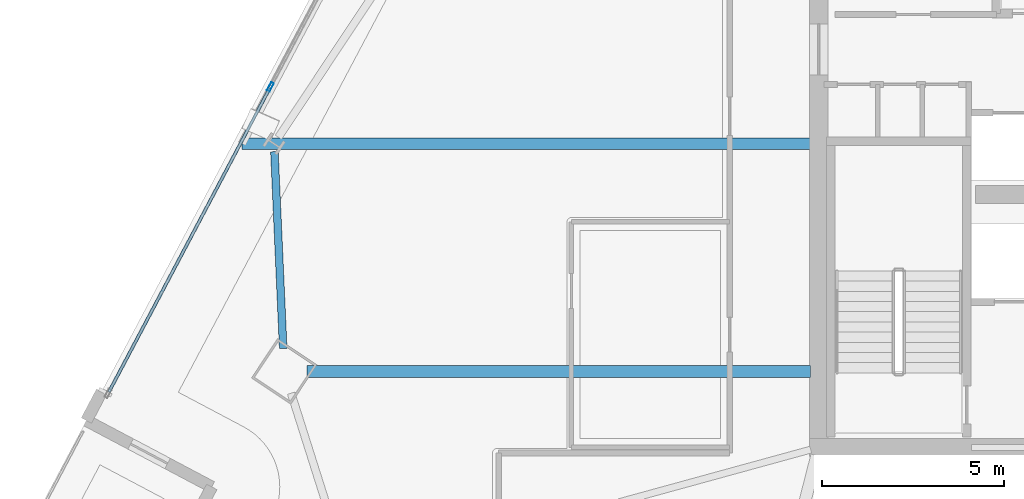
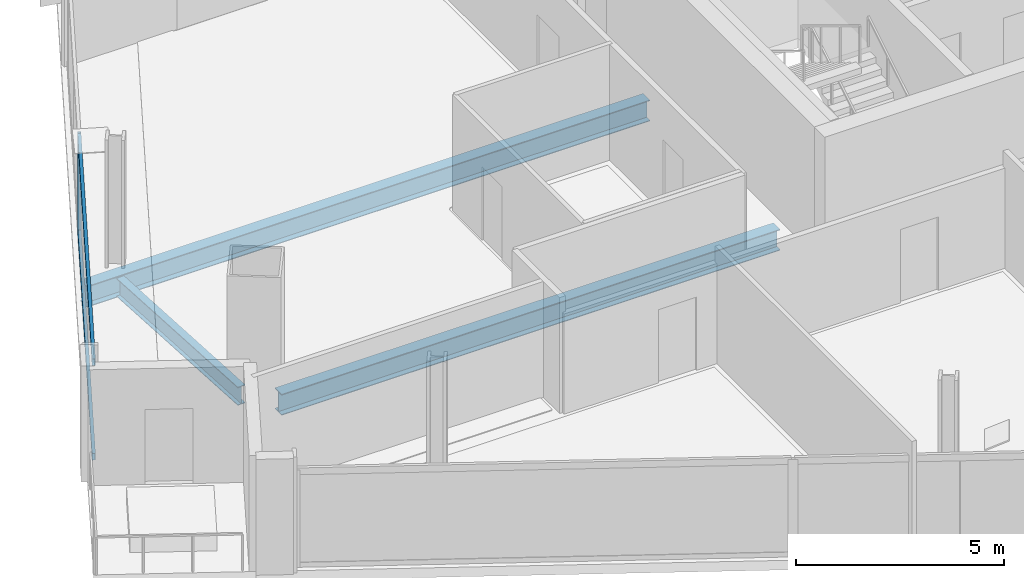
# One storey, part 6 of 28: 3 beams, 3 members, 1 element without a shape of its own.
"""IFC4 building model written with IfcOpenShell, lengths in metres."""

from ifc_helpers import new_model, si_unit, direction, frame, origin, origin_2d, place, context, subcontext, project, spatial, hollow_rectangle, i_section, extrude, material, material_profile, profile_set, type_object, element, aggregate, save


model = new_model("IFC4")

# Units and contexts
model_context = context("Model", 3, precision=1e-05, world=origin(), true_north=direction((0.0, 1.0)))
body_context = subcontext(model_context, "Body", "Model", "MODEL_VIEW")
ifc_project = project(units=[si_unit("LENGTHUNIT", "METRE"), si_unit("AREAUNIT", "SQUARE_METRE"), si_unit("VOLUMEUNIT", "CUBIC_METRE"), si_unit("PLANEANGLEUNIT", "RADIAN"), si_unit("MASSUNIT", "GRAM", prefix="KILO")], contexts=[model_context])

# Site, building, storey
site_placement = place(None, origin())
site = spatial("IfcSite", under=ifc_project, at=site_placement, CompositionType="ELEMENT")
building_placement = place(site_placement, origin())
building = spatial("IfcBuilding", under=site, at=building_placement, Name="Haldenkirk Collegiate Tower", CompositionType="ELEMENT")
storey_placement = place(building_placement, frame((0.0, 0.0, 235.949951171875)))
storey = spatial("IfcBuildingStorey", under=building, at=storey_placement, Name="L59", CompositionType="ELEMENT", Elevation=235.949951171875)

# Beams
ifc_material_1 = material(Name="Steel ASTM A992 Grade 50", Category="steel")
ifc_material_profile_1 = material_profile(ifc_material_1, i_section(OverallWidth=0.324951171875, OverallDepth=0.615966796875, WebThickness=0.013916015625, FlangeThickness=0.021484375, at=origin_2d()), Name="W24X117")
ifc_profile_set_1 = profile_set([ifc_material_profile_1], Name="Steel ASTM A992 Grade 50")
beam_type_1 = type_object("IfcBeamType", Name="BM-GIRDER-W24X117", PredefinedType="BEAM", material=ifc_profile_set_1)
beam_1_placement = place(storey_placement, frame((12.9345703125, 20.089599609375, -0.587890625), z_axis=(1.0, 0.0, 0.0), x_axis=(0.0, 1.0, 0.0)))
element("IfcBeam", 1, at=beam_1_placement, inside=storey, type_object=beam_type_1, Name="L59 primary floor girder 04", PredefinedType="BEAM", context=body_context, shape_type="SweptSolid", body=[
    extrude(i_section(OverallWidth=0.324951171875, OverallDepth=0.615966796875, WebThickness=0.013916015625, FlangeThickness=0.021484375, at=origin_2d()), origin(), (0.0, 0.0, 1.0), 13.83544921875),
])
beam_2_placement = place(storey_placement, frame((11.143310546875, 26.34716796875, -0.587890625), z_axis=(1.0, 0.0, 0.0), x_axis=(0.0, 1.0, 0.0)))
element("IfcBeam", 2, at=beam_2_placement, inside=storey, type_object=beam_type_1, Name="L59 primary floor girder 13", PredefinedType="BEAM", context=body_context, shape_type="SweptSolid", body=[
    extrude(i_section(OverallWidth=0.324951171875, OverallDepth=0.615966796875, WebThickness=0.013916015625, FlangeThickness=0.021484375, at=origin_2d()), origin(), (0.0, 0.0, 1.0), 15.626708984375),
])
ifc_material_profile_2 = material_profile(ifc_material_1, i_section(OverallWidth=0.2099609375, OverallDepth=0.537109375, WebThickness=0.010986328125, FlangeThickness=0.017333984375, at=origin_2d()), Name="W21X68")
ifc_profile_set_2 = profile_set([ifc_material_profile_2], Name="Steel ASTM A992 Grade 50")
beam_type_2 = type_object("IfcBeamType", Name="BM-SPANDREL-W21X68", PredefinedType="SPANDREL", material=ifc_profile_set_2)
beam_3_placement = place(storey_placement, frame((12.034912109375, 26.13037109375, -0.54833984375), z_axis=(0.044620526426, -0.999004008311, 0.0), x_axis=(0.999004008311, 0.044620526426, 0.0)))
element("IfcBeam", 3, at=beam_3_placement, inside=storey, type_object=beam_type_2, Name="L59 perimeter spandrel beam 12", PredefinedType="SPANDREL", context=body_context, shape_type="SweptSolid", body=[
    extrude(i_section(OverallWidth=0.2099609375, OverallDepth=0.537109375, WebThickness=0.010986328125, FlangeThickness=0.017333984375, at=origin_2d()), origin(), (0.0, 0.0, 1.0), 5.416748046875),
])

# Curtain wall, members
ifc_material_2 = material(Name="Anodised architectural bronze aluminium", Category="aluminium")
curtain_wall_type = type_object("IfcCurtainWallType", Name="CW-SYS1B-CONVEX-HI", PredefinedType="USERDEFINED", material=ifc_material_2)
curtain_wall_placement = place(storey_placement, origin())
curtain_wall = element("IfcCurtainWall", 4, at=curtain_wall_placement, inside=storey, type_object=curtain_wall_type, Name="L59 Upper tower high-wind convex bronze unitised curtain wall", ObjectType="UNITISED CURTAIN WALL", PredefinedType="USERDEFINED")
ifc_material_profile_3 = material_profile(ifc_material_2, hollow_rectangle(XDim=0.0849609375, YDim=0.25, WallThickness=0.0048828125, at=origin_2d()), Name="CW-MUL-1B")
ifc_profile_set_3 = profile_set([ifc_material_profile_3], Name="Anodised architectural bronze aluminium")
member_type_1 = type_object("IfcMemberType", Name="CW-MUL-1B", PredefinedType="MULLION", material=ifc_profile_set_3)
member_1_placement = place(storey_placement, frame((11.926513671875, 27.911865234375, 0.0), z_axis=(0.0, 0.0, 1.0), x_axis=(-0.883764543584, 0.467931866304, 0.0)))
member_1 = element("IfcMember", 5, at=member_1_placement, type_object=member_type_1, Name="CW-1B mullion 2", PredefinedType="MULLION", context=body_context, shape_type="SweptSolid", body=[
    extrude(hollow_rectangle(XDim=0.0849609375, YDim=0.25, WallThickness=0.0048828125, at=origin_2d()), origin(), (0.0, 0.0, 1.0), 2.858154296875),
])
ifc_material_profile_4 = material_profile(ifc_material_2, hollow_rectangle(XDim=0.0849609375, YDim=0.199951171875, WallThickness=0.0048828125, at=origin_2d()), Name="CW-TRN-1B")
ifc_profile_set_4 = profile_set([ifc_material_profile_4], Name="Anodised architectural bronze aluminium")
member_type_2 = type_object("IfcMemberType", Name="CW-TRN-1B", PredefinedType="USERDEFINED", material=ifc_profile_set_4)
member_2_placement = place(storey_placement, frame((7.48583984375, 19.52490234375, 0.04248046875), z_axis=(0.467910279113, 0.883775973141, 0.0), x_axis=(-0.883775973141, 0.467910279113, 0.0)))
member_2 = element("IfcMember", 6, at=member_2_placement, type_object=member_type_2, Name="CW-1B transom 1.1", ObjectType="TRANSOM", PredefinedType="USERDEFINED", context=body_context, shape_type="SweptSolid", body=[
    extrude(hollow_rectangle(XDim=0.0849609375, YDim=0.199951171875, WallThickness=0.0048828125, at=origin_2d()), origin(), (0.0, 0.0, 1.0), 9.44775390625),
])
member_3_placement = place(storey_placement, frame((7.48583984375, 19.52490234375, 2.8154296875), z_axis=(0.467910279113, 0.883775973141, 0.0), x_axis=(-0.883775973141, 0.467910279113, 0.0)))
member_3 = element("IfcMember", 7, at=member_3_placement, type_object=member_type_2, Name="CW-1B transom 1.2", ObjectType="TRANSOM", PredefinedType="USERDEFINED", context=body_context, shape_type="SweptSolid", body=[
    extrude(hollow_rectangle(XDim=0.0849609375, YDim=0.199951171875, WallThickness=0.0048828125, at=origin_2d()), origin(), (0.0, 0.0, 1.0), 9.44775390625),
])
aggregate(curtain_wall, [member_1, member_2, member_3])

save(model, "model.ifc")
